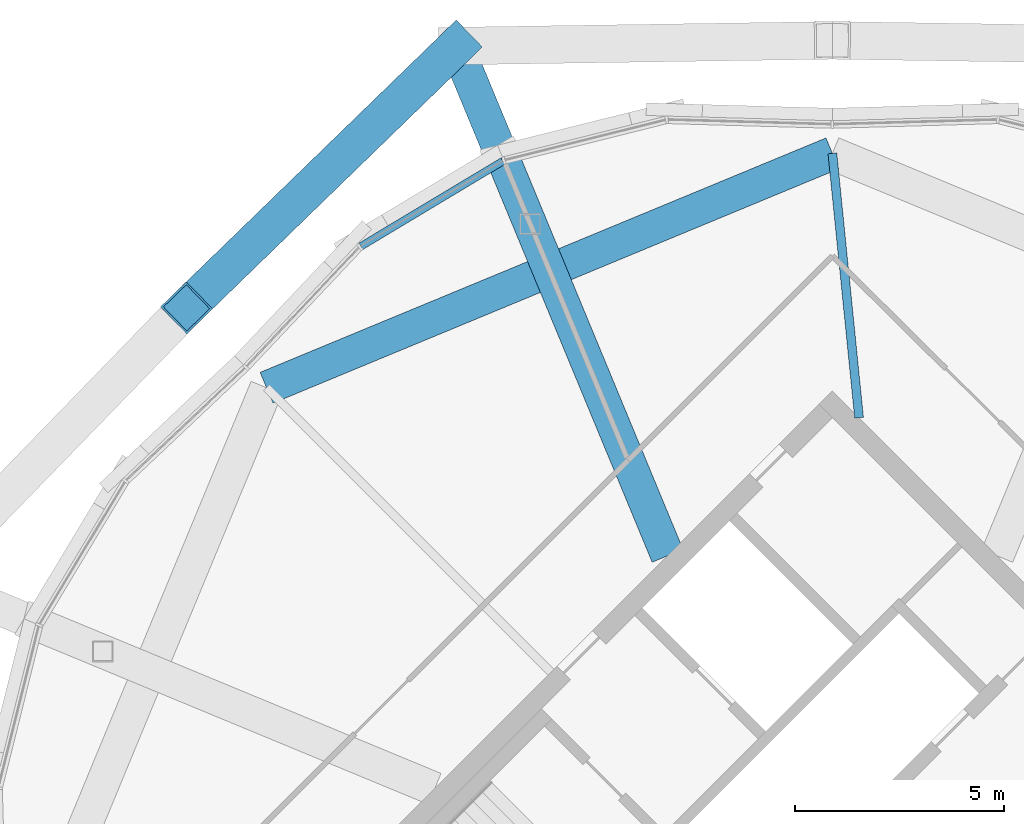
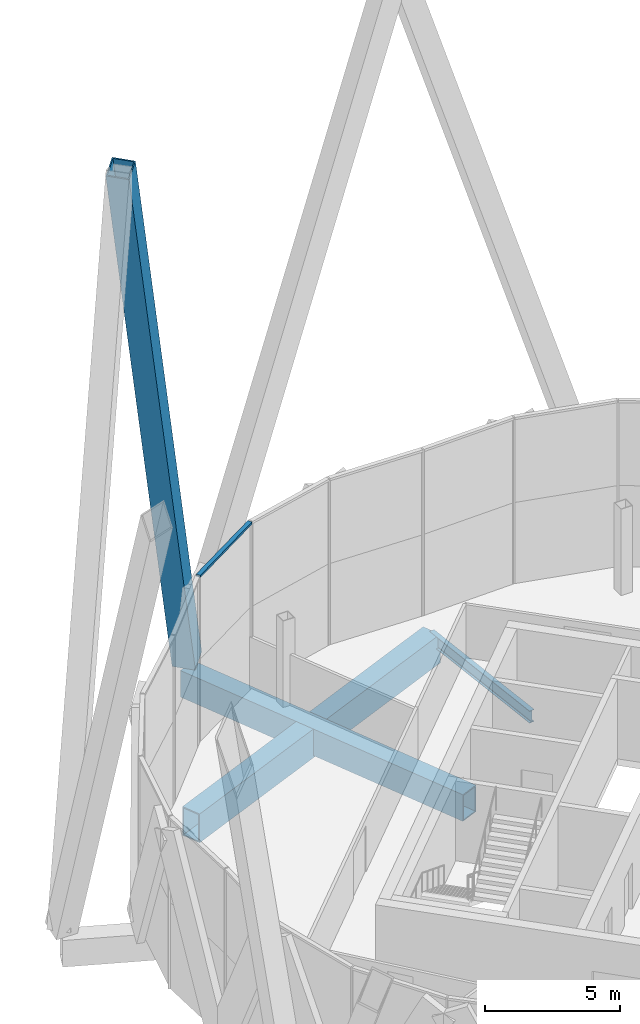
# One storey, part 34 of 53: 3 beams, 2 members, 1 element without a shape of its own.
"""IFC4 building model written with IfcOpenShell, lengths in metres."""

from ifc_helpers import new_model, si_unit, direction, frame, origin, origin_2d, place, context, subcontext, project, spatial, rectangle, hollow_rectangle, i_section, extrude, material, material_profile, profile_set, type_object, element, aggregate, save


model = new_model("IFC4")

# Units and contexts
model_context = context("Model", 3, precision=1e-05, world=origin(), true_north=direction((0.0, 1.0)))
body_context = subcontext(model_context, "Body", "Model", "MODEL_VIEW")
ifc_project = project(units=[si_unit("LENGTHUNIT", "METRE"), si_unit("AREAUNIT", "SQUARE_METRE"), si_unit("VOLUMEUNIT", "CUBIC_METRE"), si_unit("PLANEANGLEUNIT", "RADIAN"), si_unit("MASSUNIT", "GRAM", prefix="KILO")], contexts=[model_context])

# Site, building, storey
site_placement = place(None, origin())
site = spatial("IfcSite", under=ifc_project, at=site_placement, CompositionType="ELEMENT")
building_placement = place(site_placement, origin())
building = spatial("IfcBuilding", under=site, at=building_placement, Name="Ogive Gate Towers", CompositionType="ELEMENT")
storey_placement = place(building_placement, frame((0.0, 0.0, 240.60009765625)))
storey = spatial("IfcBuildingStorey", under=building, at=storey_placement, Name="L57", CompositionType="ELEMENT", Elevation=240.60009765625)

# Member
ifc_material_1 = material(Name="Steel SM460", Category="steel")
ifc_material_profile_1 = material_profile(ifc_material_1, hollow_rectangle(XDim=0.89990234375, YDim=0.89990234375, WallThickness=0.050048828125, at=origin_2d()), Name="BX 900x900x50")
ifc_profile_set_1 = profile_set([ifc_material_profile_1], Name="Steel SM460")
member_type_1 = type_object("IfcMemberType", Name="Diagrid diagonal BX 900x900x50", PredefinedType="BRACE", material=ifc_profile_set_1)
member_1_placement = place(storey_placement, frame((27.022216796875, 21.67431640625, 0.0), z_axis=(-0.217751746913, -0.211259451685, 0.952866003586), x_axis=(0.696326291775, -0.717725362087, 0.0)))
element("IfcMember", 1, at=member_1_placement, inside=storey, type_object=member_type_1, Name="T2/L57/SDG006", PredefinedType="BRACE", context=body_context, shape_type="SweptSolid", body=[
    extrude(hollow_rectangle(XDim=0.89990234375, YDim=0.89990234375, WallThickness=0.050048828125, at=origin_2d()), origin(), (0.0, 0.0, 1.0), 29.594970703125),
])

# Beams
ifc_material_profile_2 = material_profile(ifc_material_1, hollow_rectangle(XDim=0.800048828125, YDim=1.300048828125, WallThickness=0.050048828125, at=origin_2d()), Name="BX 1300x800x50")
ifc_profile_set_2 = profile_set([ifc_material_profile_2], Name="Steel SM460")
beam_type_1 = type_object("IfcBeamType", Name="Edge girder BX 1300x800x50", PredefinedType="BEAM", material=ifc_profile_set_2)
beam_1_placement = place(storey_placement, frame((36.0, 19.110107421875, -0.9501953125), z_axis=(-0.923872994947, -0.38269921506, 0.0), x_axis=(0.38269921506, -0.923872994947, 0.0)))
element("IfcBeam", 2, at=beam_1_placement, inside=storey, type_object=beam_type_1, Name="T2/L57/SBM022", PredefinedType="BEAM", context=body_context, shape_type="SweptSolid", body=[
    extrude(hollow_rectangle(XDim=0.800048828125, YDim=1.300048828125, WallThickness=0.050048828125, at=origin_2d()), origin(), (0.0, 0.0, 1.0), 14.626220703125),
])
ifc_material_2 = material(Name="Steel SM355", Category="steel")
ifc_material_profile_3 = material_profile(ifc_material_2, i_section(OverallWidth=0.2099609375, OverallDepth=0.550048828125, WebThickness=0.010986328125, FlangeThickness=0.01708984375, FilletRadius=0.02392578125, at=origin_2d()), Name="IPE 550")
ifc_profile_set_3 = profile_set([ifc_material_profile_3], Name="Steel SM355")
beam_type_2 = type_object("IfcBeamType", Name="Radial floor beam IPE 550", PredefinedType="BEAM", material=ifc_profile_set_3)
beam_2_placement = place(storey_placement, frame((36.636474609375, 12.798583984375, -0.5751953125), z_axis=(-0.100334383706, 0.994953773522, 0.0), x_axis=(-0.994953773522, -0.100334383706, 0.0)))
element("IfcBeam", 3, at=beam_2_placement, inside=storey, type_object=beam_type_2, Name="T2/L57/SBM011", PredefinedType="BEAM", context=body_context, shape_type="SweptSolid", body=[
    extrude(i_section(OverallWidth=0.2099609375, OverallDepth=0.550048828125, WebThickness=0.010986328125, FlangeThickness=0.01708984375, FilletRadius=0.02392578125, at=origin_2d()), origin(), (0.0, 0.0, 1.0), 6.343505859375),
])

# Curtain wall, member
ifc_material_3 = material(Name="Pale metal aluminium", Category="aluminium")
curtain_wall_type = type_object("IfcCurtainWallType", Name="Tower unitised wall, high zone", PredefinedType="NOTDEFINED", material=ifc_material_3)
curtain_wall_placement = place(storey_placement, origin())
curtain_wall = element("IfcCurtainWall", 4, at=curtain_wall_placement, inside=storey, type_object=curtain_wall_type, Name="CW2 T2 ECW03", PredefinedType="NOTDEFINED")
ifc_material_profile_4 = material_profile(ifc_material_3, rectangle(XDim=0.179931640625, YDim=0.10009765625, at=origin_2d()), Name="100 x 180 aluminium box")
ifc_profile_set_4 = profile_set([ifc_material_profile_4], Name="Pale metal aluminium")
member_type_2 = type_object("IfcMemberType", Name="Tower unitised wall, high zone transom 100 x 180", PredefinedType="USERDEFINED", material=ifc_profile_set_4)
member_2_placement = place(storey_placement, frame((28.130126953125, 18.92578125, 7.449951171875), z_axis=(-0.857296782072, -0.51482252034, 0.0), x_axis=(0.51482252034, -0.857296782072, 0.0)))
member_2 = element("IfcMember", 5, at=member_2_placement, type_object=member_type_2, Name="CW2 transom", ObjectType="TRANSOM", PredefinedType="USERDEFINED", context=body_context, shape_type="SweptSolid", body=[
    extrude(rectangle(XDim=0.179931640625, YDim=0.10009765625, at=origin_2d()), origin(), (0.0, 0.0, 1.0), 3.955078125),
])
aggregate(curtain_wall, [member_2])

# Beam
ifc_material_profile_5 = material_profile(ifc_material_1, hollow_rectangle(XDim=0.800048828125, YDim=1.199951171875, WallThickness=0.050048828125, at=origin_2d()), Name="BX 1200x800x50")
ifc_profile_set_5 = profile_set([ifc_material_profile_5], Name="Steel SM460")
beam_type_3 = type_object("IfcBeamType", Name="Transfer radial beam BX 1200x800x50", PredefinedType="BEAM", material=ifc_profile_set_5)
beam_3_placement = place(storey_placement, frame((32.06494140625, 9.5, -0.900146484375), z_axis=(-0.382680688612, 0.923880669006, 0.0), x_axis=(-0.923880669006, -0.382680688612, 0.0)))
element("IfcBeam", 6, at=beam_3_placement, inside=storey, type_object=beam_type_3, Name="T2/L57/SBM012", PredefinedType="BEAM", context=body_context, shape_type="SweptSolid", body=[
    extrude(hollow_rectangle(XDim=0.800048828125, YDim=1.199951171875, WallThickness=0.050048828125, at=origin_2d()), origin(), (0.0, 0.0, 1.0), 13.177490234375),
])

save(model, "model.ifc")
